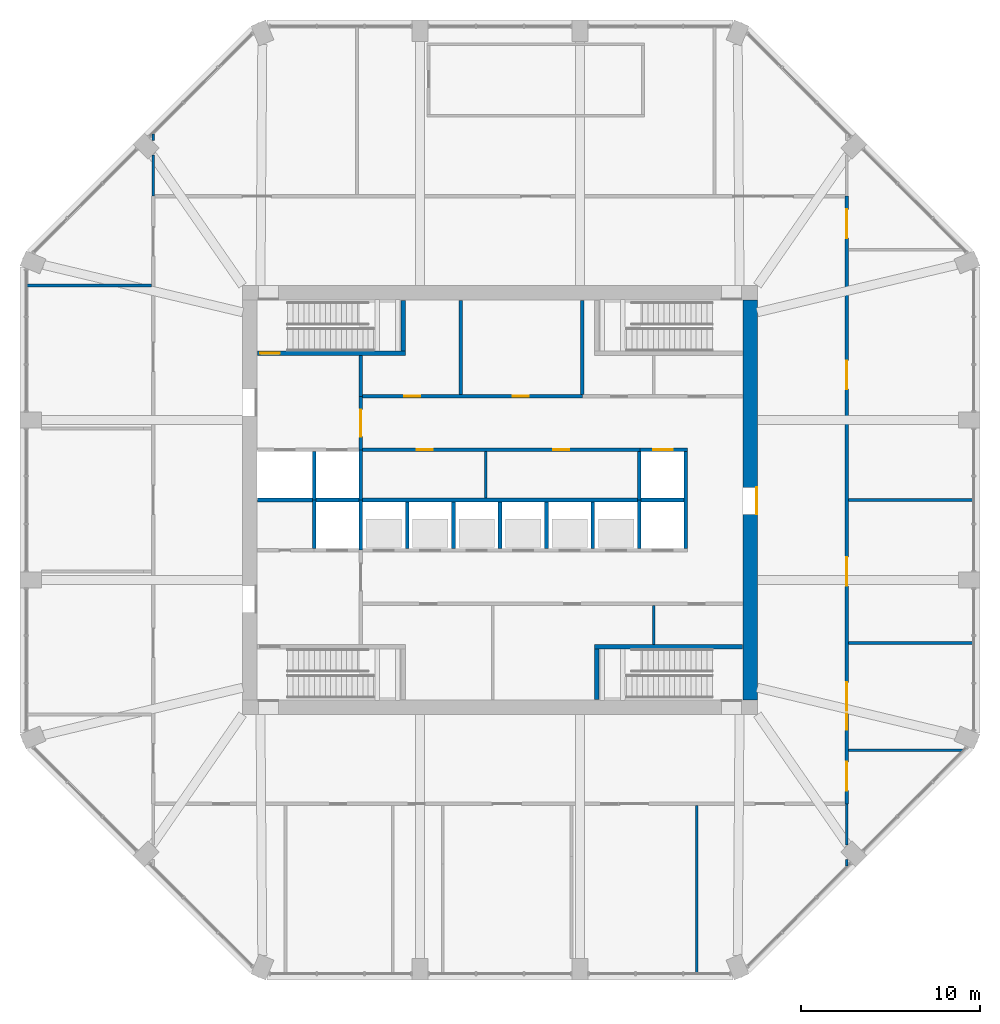
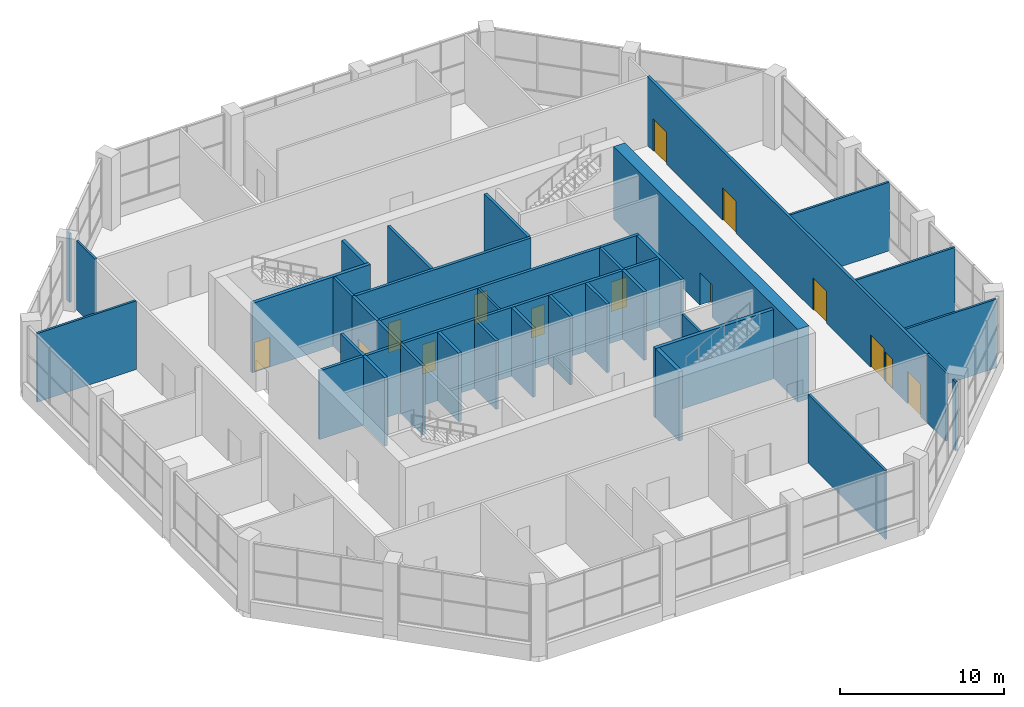
# One storey, part 13 of 16: 37 walls, 14 doors, 14 openings.
"""IFC4 building model written with IfcOpenShell, lengths in metres."""

from ifc_helpers import new_model, si_unit, direction, frame, frame_2d, origin, place, context, subcontext, project, spatial, rectangle, extrude, material, layer, layer_set, type_object, element, fill, save


model = new_model("IFC4")

# Units and contexts
model_context = context("Model", 3, precision=1e-05, world=origin(), true_north=direction((0.0, 1.0)))
body_context = subcontext(model_context, "Body", "Model", "MODEL_VIEW")
ifc_project = project(units=[si_unit("LENGTHUNIT", "METRE"), si_unit("AREAUNIT", "SQUARE_METRE"), si_unit("VOLUMEUNIT", "CUBIC_METRE"), si_unit("PLANEANGLEUNIT", "RADIAN"), si_unit("MASSUNIT", "GRAM", prefix="KILO")], contexts=[model_context])

# Site, building, storey
site_placement = place(None, origin())
site = spatial("IfcSite", under=ifc_project, at=site_placement, CompositionType="ELEMENT")
building_placement = place(site_placement, origin())
building = spatial("IfcBuilding", under=site, at=building_placement, Name="Msitu Wima Residences", CompositionType="ELEMENT")
storey_placement = place(building_placement, frame((0.0, 0.0, 156.89990234375)))
storey = spatial("IfcBuildingStorey", under=building, at=storey_placement, Name="L36", CompositionType="ELEMENT", Elevation=156.89990234375)

# Wall, opening, door
ifc_material_1 = material(Name="Concrete C70/85", Category="concrete")
ifc_layer_1 = layer(ifc_material_1, 0.800048828125)
ifc_layer_set_1 = layer_set([ifc_layer_1], Name="Concrete C70/85")
wall_type_1 = type_object("IfcWallType", Name="Core wall CW800 C70/85", PredefinedType="SHEAR", material=ifc_layer_set_1)
wall_1_placement = place(storey_placement, frame((14.0, -11.199951171875, 0.0), z_axis=(0.0, 0.0, 1.0), x_axis=(0.0, 1.0, 0.0)))
wall_1 = element("IfcWall", 1, at=wall_1_placement, inside=storey, type_object=wall_type_1, Name="Core wall", PredefinedType="SHEAR", context=body_context, shape_type="SweptSolid", body=[
    extrude(rectangle(XDim=22.39990234375, YDim=0.800048828125, at=frame_2d((11.199951171875, 0.0))), origin(), (0.0, 0.0, 1.0), 5.400146484375),
])
opening_1_placement = place(wall_1_placement, frame((10.39990234375, 0.0, 0.0)))
opening_1 = element("IfcOpeningElement", 2, at=opening_1_placement, cuts=wall_1, Name="Opening D36.037", PredefinedType="OPENING", context=body_context, shape_type="SweptSolid", body=[
    extrude(rectangle(XDim=1.5, YDim=2.39990234375, at=frame_2d((0.75, 1.199951171875))), frame((0.0, 0.409912109375, 0.0), z_axis=(0.0, -1.0, 0.0), x_axis=(1.0, 0.0, 0.0)), (0.0, 0.0, 1.0), 0.820068359375),
])
ifc_material_2 = material(Name="Steel framed glazed door, fire resisting", Category="steel")
door_type_1 = type_object("IfcDoorType", Name="Lobby door D07 1500x2400", OperationType="DOUBLE_DOOR_SINGLE_SWING", PredefinedType="DOOR", material=ifc_material_2)
door_1_placement = place(opening_1_placement, origin())
door_1 = element("IfcDoor", 3, at=door_1_placement, inside=storey, type_object=door_type_1, Name="Lobby door", OperationType="DOUBLE_DOOR_SINGLE_SWING", OverallHeight=2.39990234375, OverallWidth=1.5, PredefinedType="DOOR", context=body_context, shape_type="SweptSolid", body=[
    extrude(rectangle(XDim=1.5, YDim=2.39990234375, at=frame_2d((0.75, 1.199951171875))), frame((0.0, -0.34521484375, 0.0), z_axis=(0.0, -1.0, 0.0), x_axis=(1.0, 0.0, 0.0)), (0.0, 0.0, 1.0), 0.050048828125),
])
fill(opening_1, door_1)

# Wall, openings, doors
ifc_material_3 = material(Name="Plaster")
ifc_layer_2 = layer(ifc_material_3, 0.011962890625, Name="Plaster")
ifc_material_4 = material(Name="Concrete blockwork", Category="masonry")
ifc_layer_3 = layer(ifc_material_4, 0.176025390625, Name="Concrete blockwork")
ifc_layer_4 = layer(ifc_material_3, 0.011962890625, Name="Plaster")
ifc_layer_set_2 = layer_set([ifc_layer_2, ifc_layer_3, ifc_layer_4], Name="Concrete blockwork")
wall_type_2 = type_object("IfcWallType", Name="Corridor wall FW200", PredefinedType="PARTITIONING", material=ifc_layer_set_2)
wall_2_placement = place(storey_placement, frame((-7.820068359375, 2.800048828125, 0.0), z_axis=(0.0, 0.0, 1.0), x_axis=(1.0, 0.0, 0.0)))
wall_2 = element("IfcWall", 4, at=wall_2_placement, inside=storey, type_object=wall_type_2, Name="Corridor wall", PredefinedType="PARTITIONING", context=body_context, shape_type="SweptSolid", body=[
    extrude(rectangle(XDim=15.64013671875, YDim=0.199951171875, at=frame_2d((7.820068359375, 0.0))), origin(), (0.0, 0.0, 1.0), 5.10009765625),
])
opening_2_placement = place(wall_2_placement, frame((3.14990234375, 0.0, 0.0)))
opening_2 = element("IfcOpeningElement", 5, at=opening_2_placement, cuts=wall_2, Name="Opening D36.010", PredefinedType="OPENING", context=body_context, shape_type="SweptSolid", body=[
    extrude(rectangle(XDim=0.89990234375, YDim=2.199951171875, at=frame_2d((0.449951171875, 1.10009765625))), frame((0.0, 0.10986328125, 0.0), z_axis=(0.0, -1.0, 0.0), x_axis=(1.0, 0.0, 0.0)), (0.0, 0.0, 1.0), 0.219970703125),
])
opening_3_placement = place(wall_2_placement, frame((10.800048828125, 0.0, 0.0)))
opening_3 = element("IfcOpeningElement", 6, at=opening_3_placement, cuts=wall_2, Name="Opening D36.011", PredefinedType="OPENING", context=body_context, shape_type="SweptSolid", body=[
    extrude(rectangle(XDim=0.89990234375, YDim=2.199951171875, at=frame_2d((0.449951171875, 1.10009765625))), frame((0.0, 0.10986328125, 0.0), z_axis=(0.0, -1.0, 0.0), x_axis=(1.0, 0.0, 0.0)), (0.0, 0.0, 1.0), 0.219970703125),
])
ifc_material_5 = material(Name="Timber flush door", Category="wood")
door_type_2 = type_object("IfcDoorType", Name="Service door D05 900x2200", OperationType="SINGLE_SWING_LEFT", PredefinedType="DOOR", material=ifc_material_5)
door_2_placement = place(opening_2_placement, origin())
door_2 = element("IfcDoor", 7, at=door_2_placement, inside=storey, type_object=door_type_2, Name="Service door", OperationType="SINGLE_SWING_LEFT", OverallHeight=2.199951171875, OverallWidth=0.89990234375, PredefinedType="DOOR", context=body_context, shape_type="SweptSolid", body=[
    extrude(rectangle(XDim=0.89990234375, YDim=2.199951171875, at=frame_2d((0.449951171875, 1.10009765625))), frame((0.0, 0.02490234375, 0.0), z_axis=(0.0, -1.0, 0.0), x_axis=(1.0, 0.0, 0.0)), (0.0, 0.0, 1.0), 0.050048828125),
])
fill(opening_2, door_2)
door_3_placement = place(opening_3_placement, origin())
door_3 = element("IfcDoor", 8, at=door_3_placement, inside=storey, type_object=door_type_2, Name="Service door", OperationType="SINGLE_SWING_LEFT", OverallHeight=2.199951171875, OverallWidth=0.89990234375, PredefinedType="DOOR", context=body_context, shape_type="SweptSolid", body=[
    extrude(rectangle(XDim=0.89990234375, YDim=2.199951171875, at=frame_2d((0.449951171875, 1.10009765625))), frame((0.0, 0.02490234375, 0.0), z_axis=(0.0, -1.0, 0.0), x_axis=(1.0, 0.0, 0.0)), (0.0, 0.0, 1.0), 0.050048828125),
])
fill(opening_3, door_3)

# Wall, opening, door
wall_3_placement = place(storey_placement, frame((-7.800048828125, 2.800048828125, 0.0), z_axis=(0.0, 0.0, 1.0), x_axis=(0.0, 1.0, 0.0)))
wall_3 = element("IfcWall", 9, at=wall_3_placement, inside=storey, type_object=wall_type_2, Name="Corridor wall", PredefinedType="PARTITIONING", context=body_context, shape_type="SweptSolid", body=[
    extrude(rectangle(XDim=3.0, YDim=0.199951171875, at=frame_2d((1.5, 0.0))), origin(), (0.0, 0.0, 1.0), 5.10009765625),
])
opening_4_placement = place(wall_3_placement, frame((0.75, 0.0, 0.0)))
opening_4 = element("IfcOpeningElement", 10, at=opening_4_placement, cuts=wall_3, Name="Opening D36.001", PredefinedType="OPENING", context=body_context, shape_type="SweptSolid", body=[
    extrude(rectangle(XDim=1.5, YDim=2.39990234375, at=frame_2d((0.75, 1.199951171875))), frame((0.0, 0.10986328125, 0.0), z_axis=(0.0, -1.0, 0.0), x_axis=(1.0, 0.0, 0.0)), (0.0, 0.0, 1.0), 0.219970703125),
])
door_4_placement = place(opening_4_placement, origin())
door_4 = element("IfcDoor", 11, at=door_4_placement, inside=storey, type_object=door_type_1, Name="Lobby door", OperationType="DOUBLE_DOOR_SINGLE_SWING", OverallHeight=2.39990234375, OverallWidth=1.5, PredefinedType="DOOR", context=body_context, shape_type="SweptSolid", body=[
    extrude(rectangle(XDim=1.5, YDim=2.39990234375, at=frame_2d((0.75, 1.199951171875))), frame((0.0, 0.02490234375, 0.0), z_axis=(0.0, -1.0, 0.0), x_axis=(1.0, 0.0, 0.0)), (0.0, 0.0, 1.0), 0.050048828125),
])
fill(opening_4, door_4)

# Wall, openings, doors
wall_4_placement = place(storey_placement, frame((19.39990234375, -17.0, 0.0), z_axis=(0.0, 0.0, 1.0), x_axis=(0.0, 1.0, 0.0)))
wall_4 = element("IfcWall", 12, at=wall_4_placement, inside=storey, type_object=wall_type_2, Name="Corridor wall", PredefinedType="PARTITIONING", context=body_context, shape_type="SweptSolid", body=[
    extrude(rectangle(XDim=34.0, YDim=0.199951171875, at=frame_2d((17.0, 0.0))), origin(), (0.0, 0.0, 1.0), 5.10009765625),
])
opening_5_placement = place(wall_4_placement, frame((0.75, 0.0, 0.0)))
opening_5 = element("IfcOpeningElement", 13, at=opening_5_placement, cuts=wall_4, Name="Opening D36.015", PredefinedType="OPENING", context=body_context, shape_type="SweptSolid", body=[
    extrude(rectangle(XDim=1.60009765625, YDim=2.39990234375, at=frame_2d((0.800048828125, 1.199951171875))), frame((0.0, 0.10986328125, 0.0), z_axis=(0.0, -1.0, 0.0), x_axis=(1.0, 0.0, 0.0)), (0.0, 0.0, 1.0), 0.219970703125),
])
opening_6_placement = place(wall_4_placement, frame((5.199951171875, 0.0, 0.0)))
opening_6 = element("IfcOpeningElement", 14, at=opening_6_placement, cuts=wall_4, Name="Opening D36.016", PredefinedType="OPENING", context=body_context, shape_type="SweptSolid", body=[
    extrude(rectangle(XDim=1.60009765625, YDim=2.39990234375, at=frame_2d((0.800048828125, 1.199951171875))), frame((0.0, 0.10986328125, 0.0), z_axis=(0.0, -1.0, 0.0), x_axis=(1.0, 0.0, 0.0)), (0.0, 0.0, 1.0), 0.219970703125),
])
opening_7_placement = place(wall_4_placement, frame((12.199951171875, 0.0, 0.0)))
opening_7 = element("IfcOpeningElement", 15, at=opening_7_placement, cuts=wall_4, Name="Opening D36.017", PredefinedType="OPENING", context=body_context, shape_type="SweptSolid", body=[
    extrude(rectangle(XDim=1.60009765625, YDim=2.39990234375, at=frame_2d((0.800048828125, 1.199951171875))), frame((0.0, 0.10986328125, 0.0), z_axis=(0.0, -1.0, 0.0), x_axis=(1.0, 0.0, 0.0)), (0.0, 0.0, 1.0), 0.219970703125),
])
opening_8_placement = place(wall_4_placement, frame((23.199951171875, 0.0, 0.0)))
opening_8 = element("IfcOpeningElement", 16, at=opening_8_placement, cuts=wall_4, Name="Opening D36.018", PredefinedType="OPENING", context=body_context, shape_type="SweptSolid", body=[
    extrude(rectangle(XDim=1.60009765625, YDim=2.39990234375, at=frame_2d((0.800048828125, 1.199951171875))), frame((0.0, 0.10986328125, 0.0), z_axis=(0.0, -1.0, 0.0), x_axis=(1.0, 0.0, 0.0)), (0.0, 0.0, 1.0), 0.219970703125),
])
opening_9_placement = place(wall_4_placement, frame((31.64990234375, 0.0, 0.0)))
opening_9 = element("IfcOpeningElement", 17, at=opening_9_placement, cuts=wall_4, Name="Opening D36.019", PredefinedType="OPENING", context=body_context, shape_type="SweptSolid", body=[
    extrude(rectangle(XDim=1.60009765625, YDim=2.39990234375, at=frame_2d((0.800048828125, 1.199951171875))), frame((0.0, 0.10986328125, 0.0), z_axis=(0.0, -1.0, 0.0), x_axis=(1.0, 0.0, 0.0)), (0.0, 0.0, 1.0), 0.219970703125),
])
opening_10_placement = place(wall_4_placement, frame((4.14990234375, 0.0, 0.0)))
opening_10 = element("IfcOpeningElement", 18, at=opening_10_placement, cuts=wall_4, Name="Opening D36.035", PredefinedType="OPENING", context=body_context, shape_type="SweptSolid", body=[
    extrude(rectangle(XDim=0.89990234375, YDim=2.199951171875, at=frame_2d((0.449951171875, 1.10009765625))), frame((0.0, 0.10986328125, 0.0), z_axis=(0.0, -1.0, 0.0), x_axis=(1.0, 0.0, 0.0)), (0.0, 0.0, 1.0), 0.219970703125),
])
ifc_material_6 = material(Name="Black aluminium glazed door", Category="aluminium")
door_type_3 = type_object("IfcDoorType", Name="Amenity door D10 1600x2400", OperationType="DOUBLE_DOOR_SINGLE_SWING", PredefinedType="DOOR", material=ifc_material_6)
door_5_placement = place(opening_5_placement, origin())
door_5 = element("IfcDoor", 19, at=door_5_placement, inside=storey, type_object=door_type_3, Name="Amenity door", OperationType="DOUBLE_DOOR_SINGLE_SWING", OverallHeight=2.39990234375, OverallWidth=1.60009765625, PredefinedType="DOOR", context=body_context, shape_type="SweptSolid", body=[
    extrude(rectangle(XDim=1.60009765625, YDim=2.39990234375, at=frame_2d((0.800048828125, 1.199951171875))), frame((0.0, 0.02490234375, 0.0), z_axis=(0.0, -1.0, 0.0), x_axis=(1.0, 0.0, 0.0)), (0.0, 0.0, 1.0), 0.050048828125),
])
fill(opening_5, door_5)
door_6_placement = place(opening_6_placement, origin())
door_6 = element("IfcDoor", 20, at=door_6_placement, inside=storey, type_object=door_type_3, Name="Amenity door", OperationType="DOUBLE_DOOR_SINGLE_SWING", OverallHeight=2.39990234375, OverallWidth=1.60009765625, PredefinedType="DOOR", context=body_context, shape_type="SweptSolid", body=[
    extrude(rectangle(XDim=1.60009765625, YDim=2.39990234375, at=frame_2d((0.800048828125, 1.199951171875))), frame((0.0, 0.02490234375, 0.0), z_axis=(0.0, -1.0, 0.0), x_axis=(1.0, 0.0, 0.0)), (0.0, 0.0, 1.0), 0.050048828125),
])
fill(opening_6, door_6)
door_7_placement = place(opening_7_placement, origin())
door_7 = element("IfcDoor", 21, at=door_7_placement, inside=storey, type_object=door_type_3, Name="Amenity door", OperationType="DOUBLE_DOOR_SINGLE_SWING", OverallHeight=2.39990234375, OverallWidth=1.60009765625, PredefinedType="DOOR", context=body_context, shape_type="SweptSolid", body=[
    extrude(rectangle(XDim=1.60009765625, YDim=2.39990234375, at=frame_2d((0.800048828125, 1.199951171875))), frame((0.0, 0.02490234375, 0.0), z_axis=(0.0, -1.0, 0.0), x_axis=(1.0, 0.0, 0.0)), (0.0, 0.0, 1.0), 0.050048828125),
])
fill(opening_7, door_7)
door_8_placement = place(opening_8_placement, origin())
door_8 = element("IfcDoor", 22, at=door_8_placement, inside=storey, type_object=door_type_3, Name="Amenity door", OperationType="DOUBLE_DOOR_SINGLE_SWING", OverallHeight=2.39990234375, OverallWidth=1.60009765625, PredefinedType="DOOR", context=body_context, shape_type="SweptSolid", body=[
    extrude(rectangle(XDim=1.60009765625, YDim=2.39990234375, at=frame_2d((0.800048828125, 1.199951171875))), frame((0.0, 0.02490234375, 0.0), z_axis=(0.0, -1.0, 0.0), x_axis=(1.0, 0.0, 0.0)), (0.0, 0.0, 1.0), 0.050048828125),
])
fill(opening_8, door_8)
door_9_placement = place(opening_9_placement, origin())
door_9 = element("IfcDoor", 23, at=door_9_placement, inside=storey, type_object=door_type_3, Name="Amenity door", OperationType="DOUBLE_DOOR_SINGLE_SWING", OverallHeight=2.39990234375, OverallWidth=1.60009765625, PredefinedType="DOOR", context=body_context, shape_type="SweptSolid", body=[
    extrude(rectangle(XDim=1.60009765625, YDim=2.39990234375, at=frame_2d((0.800048828125, 1.199951171875))), frame((0.0, 0.02490234375, 0.0), z_axis=(0.0, -1.0, 0.0), x_axis=(1.0, 0.0, 0.0)), (0.0, 0.0, 1.0), 0.050048828125),
])
fill(opening_9, door_9)
door_10_placement = place(opening_10_placement, origin())
door_10 = element("IfcDoor", 24, at=door_10_placement, inside=storey, type_object=door_type_2, Name="Service door", OperationType="SINGLE_SWING_RIGHT", OverallHeight=2.199951171875, OverallWidth=0.89990234375, PredefinedType="DOOR", context=body_context, shape_type="SweptSolid", body=[
    extrude(rectangle(XDim=0.89990234375, YDim=2.199951171875, at=frame_2d((0.449951171875, 1.10009765625))), frame((0.0, 0.02490234375, 0.0), z_axis=(0.0, -1.0, 0.0), x_axis=(1.0, 0.0, 0.0)), (0.0, 0.0, 1.0), 0.050048828125),
])
fill(opening_10, door_10)

# Walls
ifc_layer_5 = layer(ifc_material_3, 0.011962890625, Name="Plaster")
ifc_layer_6 = layer(ifc_material_4, 0.1259765625, Name="Concrete blockwork")
ifc_layer_7 = layer(ifc_material_3, 0.011962890625, Name="Plaster")
ifc_layer_set_3 = layer_set([ifc_layer_5, ifc_layer_6, ifc_layer_7], Name="Concrete blockwork")
wall_type_3 = type_object("IfcWallType", Name="Partition PW150", PredefinedType="PARTITIONING", material=ifc_layer_set_3)
wall_5_placement = place(storey_placement, frame((-26.455078125, 12.0, 0.0), z_axis=(0.0, 0.0, 1.0), x_axis=(1.0, 0.0, 0.0)))
element("IfcWall", 25, at=wall_5_placement, inside=storey, type_object=wall_type_3, Name="Partition", PredefinedType="PARTITIONING", context=body_context, shape_type="SweptSolid", body=[
    extrude(rectangle(XDim=6.955078125, YDim=0.14990234375, at=frame_2d((3.4775390625, 0.0))), origin(), (0.0, 0.0, 1.0), 5.10009765625),
])
wall_6_placement = place(storey_placement, frame((-19.39990234375, 17.0, 0.0), z_axis=(0.0, 0.0, 1.0), x_axis=(0.0, 1.0, 0.0)))
element("IfcWall", 26, at=wall_6_placement, inside=storey, type_object=wall_type_3, Name="Partition", PredefinedType="PARTITIONING", context=body_context, shape_type="SweptSolid", body=[
    extrude(rectangle(XDim=2.28515625, YDim=0.14990234375, at=frame_2d((1.142578125, 0.0))), origin(), (0.0, 0.0, 1.0), 5.10009765625),
])
wall_7_placement = place(storey_placement, frame((-19.39990234375, 20.096435546875, 0.0), z_axis=(0.0, 0.0, 1.0), x_axis=(0.0, 1.0, 0.0)))
element("IfcWall", 27, at=wall_7_placement, inside=storey, type_object=wall_type_3, Name="Partition", PredefinedType="PARTITIONING", context=body_context, shape_type="SweptSolid", body=[
    extrude(rectangle(XDim=0.38720703125, YDim=0.14990234375, at=frame_2d((0.193603515625, 0.0))), origin(), (0.0, 0.0, 1.0), 5.10009765625),
])
wall_8_placement = place(storey_placement, frame((-0.800048828125, 0.10009765625, 0.0), z_axis=(0.0, 0.0, 1.0), x_axis=(0.0, 1.0, 0.0)))
element("IfcWall", 28, at=wall_8_placement, inside=storey, type_object=wall_type_3, Name="Partition", PredefinedType="PARTITIONING", context=body_context, shape_type="SweptSolid", body=[
    extrude(rectangle(XDim=2.599853515625, YDim=0.14990234375, at=frame_2d((1.2998046875, 0.0))), origin(), (0.0, 0.0, 1.0), 5.10009765625),
])
wall_9_placement = place(storey_placement, frame((8.60009765625, -8.074951171875, 0.0), z_axis=(0.0, 0.0, 1.0), x_axis=(0.0, 1.0, 0.0)))
element("IfcWall", 29, at=wall_9_placement, inside=storey, type_object=wall_type_3, Name="Partition", PredefinedType="PARTITIONING", context=body_context, shape_type="SweptSolid", body=[
    extrude(rectangle(XDim=2.175048828125, YDim=0.14990234375, at=frame_2d((1.08740234375, 0.0))), origin(), (0.0, 0.0, 1.0), 5.10009765625),
])
wall_10_placement = place(storey_placement, frame((11.0, -26.455078125, 0.0), z_axis=(0.0, 0.0, 1.0), x_axis=(0.0, 1.0, 0.0)))
element("IfcWall", 30, at=wall_10_placement, inside=storey, type_object=wall_type_3, Name="Partition", PredefinedType="PARTITIONING", context=body_context, shape_type="SweptSolid", body=[
    extrude(rectangle(XDim=9.35498046875, YDim=0.14990234375, at=frame_2d((4.677490234375, 0.0))), origin(), (0.0, 0.0, 1.0), 5.10009765625),
])
wall_11_placement = place(storey_placement, frame((19.39990234375, -20.483642578125, 0.0), z_axis=(0.0, 0.0, 1.0), x_axis=(0.0, 1.0, 0.0)))
element("IfcWall", 31, at=wall_11_placement, inside=storey, type_object=wall_type_3, Name="Partition", PredefinedType="PARTITIONING", context=body_context, shape_type="SweptSolid", body=[
    extrude(rectangle(XDim=0.38720703125, YDim=0.14990234375, at=frame_2d((0.193603515625, 0.0))), origin(), (0.0, 0.0, 1.0), 5.10009765625),
])
wall_12_placement = place(storey_placement, frame((19.39990234375, -19.28515625, 0.0), z_axis=(0.0, 0.0, 1.0), x_axis=(0.0, 1.0, 0.0)))
element("IfcWall", 32, at=wall_12_placement, inside=storey, type_object=wall_type_3, Name="Partition", PredefinedType="PARTITIONING", context=body_context, shape_type="SweptSolid", body=[
    extrude(rectangle(XDim=2.28515625, YDim=0.14990234375, at=frame_2d((1.142578125, 0.0))), origin(), (0.0, 0.0, 1.0), 5.10009765625),
])
wall_13_placement = place(storey_placement, frame((19.5, -14.0, 0.0), z_axis=(0.0, 0.0, 1.0), x_axis=(1.0, 0.0, 0.0)))
element("IfcWall", 33, at=wall_13_placement, inside=storey, type_object=wall_type_3, Name="Partition", PredefinedType="PARTITIONING", context=body_context, shape_type="SweptSolid", body=[
    extrude(rectangle(XDim=6.3837890625, YDim=0.14990234375, at=frame_2d((3.19189453125, 0.0))), origin(), (0.0, 0.0, 1.0), 5.10009765625),
])
for number, where, z_axis, x_axis, name in (
    (34, (19.5, -8.0, 0.0), (0.0, 0.0, 1.0), (1.0, 0.0, 0.0), "Partition"),
    (35, (19.5, 0.0, 0.0), (0.0, 0.0, 1.0), (1.0, 0.0, 0.0), "Partition"),
):
    element("IfcWall", number, at=place(storey_placement, frame(where, z_axis=z_axis, x_axis=x_axis)), inside=storey, type_object=wall_type_3, Name=name, PredefinedType="PARTITIONING", context=body_context, shape_type="SweptSolid", body=[
        extrude(rectangle(XDim=6.955078125, YDim=0.14990234375, at=frame_2d((3.4775390625, 0.0))), origin(), (0.0, 0.0, 1.0), 5.10009765625),
    ])
ifc_layer_8 = layer(ifc_material_3, 0.011962890625, Name="Plaster")
ifc_material_7 = material(Name="Reinforced concrete blockwork", Category="masonry")
ifc_layer_9 = layer(ifc_material_7, 0.176025390625, Name="Reinforced concrete blockwork")
ifc_layer_10 = layer(ifc_material_3, 0.011962890625, Name="Plaster")
ifc_layer_set_4 = layer_set([ifc_layer_8, ifc_layer_9, ifc_layer_10], Name="Reinforced concrete blockwork")
wall_type_4 = type_object("IfcWallType", Name="Plant and riser wall PL200", PredefinedType="PARTITIONING", material=ifc_layer_set_4)
wall_14_placement = place(storey_placement, frame((-7.800048828125, 5.800048828125, 0.0), z_axis=(0.0, 0.0, 1.0), x_axis=(0.0, 1.0, 0.0)))
element("IfcWall", 36, at=wall_14_placement, inside=storey, type_object=wall_type_4, Name="Plant and riser wall", PredefinedType="PARTITIONING", context=body_context, shape_type="SweptSolid", body=[
    extrude(rectangle(XDim=2.27490234375, YDim=0.199951171875, at=frame_2d((1.137451171875, 0.0))), origin(), (0.0, 0.0, 1.0), 5.10009765625),
])

# Wall, openings, doors
wall_15_placement = place(storey_placement, frame((-7.699951171875, 5.800048828125, 0.0), z_axis=(0.0, 0.0, 1.0), x_axis=(1.0, 0.0, 0.0)))
wall_15 = element("IfcWall", 37, at=wall_15_placement, inside=storey, type_object=wall_type_4, Name="Plant and riser wall", PredefinedType="PARTITIONING", context=body_context, shape_type="SweptSolid", body=[
    extrude(rectangle(XDim=12.320068359375, YDim=0.199951171875, at=frame_2d((6.16015625, 0.0))), origin(), (0.0, 0.0, 1.0), 5.10009765625),
])
opening_11_placement = place(wall_15_placement, frame((2.35009765625, 0.0, 0.0)))
opening_11 = element("IfcOpeningElement", 38, at=opening_11_placement, cuts=wall_15, Name="Opening D36.003", PredefinedType="OPENING", context=body_context, shape_type="SweptSolid", body=[
    extrude(rectangle(XDim=0.89990234375, YDim=2.199951171875, at=frame_2d((0.449951171875, 1.10009765625))), frame((0.0, 0.10986328125, 0.0), z_axis=(0.0, -1.0, 0.0), x_axis=(1.0, 0.0, 0.0)), (0.0, 0.0, 1.0), 0.219970703125),
])
opening_12_placement = place(wall_15_placement, frame((8.39990234375, 0.0, 0.0)))
opening_12 = element("IfcOpeningElement", 39, at=opening_12_placement, cuts=wall_15, Name="Opening D36.004", PredefinedType="OPENING", context=body_context, shape_type="SweptSolid", body=[
    extrude(rectangle(XDim=0.89990234375, YDim=2.199951171875, at=frame_2d((0.449951171875, 1.10009765625))), frame((0.0, 0.10986328125, 0.0), z_axis=(0.0, -1.0, 0.0), x_axis=(1.0, 0.0, 0.0)), (0.0, 0.0, 1.0), 0.219970703125),
])
door_11_placement = place(opening_11_placement, origin())
door_11 = element("IfcDoor", 40, at=door_11_placement, inside=storey, type_object=door_type_2, Name="Service door", OperationType="SINGLE_SWING_RIGHT", OverallHeight=2.199951171875, OverallWidth=0.89990234375, PredefinedType="DOOR", context=body_context, shape_type="SweptSolid", body=[
    extrude(rectangle(XDim=0.89990234375, YDim=2.199951171875, at=frame_2d((0.449951171875, 1.10009765625))), frame((0.0, 0.02490234375, 0.0), z_axis=(0.0, -1.0, 0.0), x_axis=(1.0, 0.0, 0.0)), (0.0, 0.0, 1.0), 0.050048828125),
])
fill(opening_11, door_11)
door_12_placement = place(opening_12_placement, origin())
door_12 = element("IfcDoor", 41, at=door_12_placement, inside=storey, type_object=door_type_2, Name="Service door", OperationType="SINGLE_SWING_LEFT", OverallHeight=2.199951171875, OverallWidth=0.89990234375, PredefinedType="DOOR", context=body_context, shape_type="SweptSolid", body=[
    extrude(rectangle(XDim=0.89990234375, YDim=2.199951171875, at=frame_2d((0.449951171875, 1.10009765625))), frame((0.0, 0.02490234375, 0.0), z_axis=(0.0, -1.0, 0.0), x_axis=(1.0, 0.0, 0.0)), (0.0, 0.0, 1.0), 0.050048828125),
])
fill(opening_12, door_12)

# Walls
for number, where, z_axis, x_axis, name in (
    (42, (-2.199951171875, 5.89990234375, 0.0), (0.0, 0.0, 1.0), (0.0, 1.0, 0.0), "Plant and riser wall"),
    (43, (4.60009765625, 5.89990234375, 0.0), (0.0, 0.0, 1.0), (0.0, 1.0, 0.0), "Plant and riser wall"),
):
    element("IfcWall", number, at=place(storey_placement, frame(where, z_axis=z_axis, x_axis=x_axis)), inside=storey, type_object=wall_type_4, Name=name, PredefinedType="PARTITIONING", context=body_context, shape_type="SweptSolid", body=[
        extrude(rectangle(XDim=5.27001953125, YDim=0.199951171875, at=frame_2d((2.635009765625, 0.0))), origin(), (0.0, 0.0, 1.0), 5.10009765625),
    ])
ifc_material_8 = material(Name="Fire-rated board")
ifc_layer_11 = layer(ifc_material_8, 0.02490234375, Name="Fire-rated board")
ifc_material_9 = material(Name="Light-gauge stud framing with mineral wool")
ifc_layer_12 = layer(ifc_material_9, 0.14990234375, Name="Light-gauge stud framing with mineral wool")
ifc_layer_13 = layer(ifc_material_8, 0.02490234375, Name="Fire-rated board")
ifc_layer_set_5 = layer_set([ifc_layer_11, ifc_layer_12, ifc_layer_13], Name="Light-gauge stud framing with mineral wool")
wall_type_5 = type_object("IfcWallType", Name="Shaft wall SH200", PredefinedType="PARTITIONING", material=ifc_layer_set_5)
wall_16_placement = place(storey_placement, frame((-13.570068359375, 0.0, 0.0), z_axis=(0.0, 0.0, 1.0), x_axis=(1.0, 0.0, 0.0)))
element("IfcWall", 44, at=wall_16_placement, inside=storey, type_object=wall_type_5, Name="Shaft wall", PredefinedType="PARTITIONING", context=body_context, shape_type="SweptSolid", body=[
    extrude(rectangle(XDim=23.8701171875, YDim=0.199951171875, at=frame_2d((11.93505859375, 0.0))), origin(), (0.0, 0.0, 1.0), 5.10009765625),
])
for number, where, z_axis, x_axis, name in (
    (45, (-10.39990234375, -2.699951171875, 0.0), (0.0, 0.0, 1.0), (0.0, 1.0, 0.0), "Shaft wall"),
    (46, (-10.39990234375, 0.0, 0.0), (0.0, 0.0, 1.0), (0.0, 1.0, 0.0), "Shaft wall"),
):
    element("IfcWall", number, at=place(storey_placement, frame(where, z_axis=z_axis, x_axis=x_axis)), inside=storey, type_object=wall_type_5, Name=name, PredefinedType="PARTITIONING", context=body_context, shape_type="SweptSolid", body=[
        extrude(rectangle(XDim=2.699951171875, YDim=0.199951171875, at=frame_2d((1.35009765625, 0.0))), origin(), (0.0, 0.0, 1.0), 5.10009765625),
    ])
for number, where, z_axis, x_axis, name in (
    (47, (-7.800048828125, -2.800048828125, 0.0), (0.0, 0.0, 1.0), (0.0, 1.0, 0.0), "Shaft wall"),
    (48, (-7.800048828125, 0.0, 0.0), (0.0, 0.0, 1.0), (0.0, 1.0, 0.0), "Shaft wall"),
):
    element("IfcWall", number, at=place(storey_placement, frame(where, z_axis=z_axis, x_axis=x_axis)), inside=storey, type_object=wall_type_5, Name=name, PredefinedType="PARTITIONING", context=body_context, shape_type="SweptSolid", body=[
        extrude(rectangle(XDim=2.800048828125, YDim=0.199951171875, at=frame_2d((1.39990234375, 0.0))), origin(), (0.0, 0.0, 1.0), 5.10009765625),
    ])
for number, where, z_axis, x_axis, name in (
    (49, (-5.199951171875, -2.699951171875, 0.0), (0.0, 0.0, 1.0), (0.0, 1.0, 0.0), "Shaft wall"),
    (50, (-2.60009765625, -2.699951171875, 0.0), (0.0, 0.0, 1.0), (0.0, 1.0, 0.0), "Shaft wall"),
    (51, (0.0, -2.699951171875, 0.0), (0.0, 0.0, 1.0), (0.0, 1.0, 0.0), "Shaft wall"),
    (52, (2.60009765625, -2.699951171875, 0.0), (0.0, 0.0, 1.0), (0.0, 1.0, 0.0), "Shaft wall"),
    (53, (5.199951171875, -2.699951171875, 0.0), (0.0, 0.0, 1.0), (0.0, 1.0, 0.0), "Shaft wall"),
):
    element("IfcWall", number, at=place(storey_placement, frame(where, z_axis=z_axis, x_axis=x_axis)), inside=storey, type_object=wall_type_5, Name=name, PredefinedType="PARTITIONING", context=body_context, shape_type="SweptSolid", body=[
        extrude(rectangle(XDim=2.599853515625, YDim=0.199951171875, at=frame_2d((1.2998046875, 0.0))), origin(), (0.0, 0.0, 1.0), 5.10009765625),
    ])
for number, where, z_axis, x_axis, name in (
    (54, (7.800048828125, -2.699951171875, 0.0), (0.0, 0.0, 1.0), (0.0, 1.0, 0.0), "Shaft wall"),
    (55, (7.800048828125, 0.0, 0.0), (0.0, 0.0, 1.0), (0.0, 1.0, 0.0), "Shaft wall"),
):
    element("IfcWall", number, at=place(storey_placement, frame(where, z_axis=z_axis, x_axis=x_axis)), inside=storey, type_object=wall_type_5, Name=name, PredefinedType="PARTITIONING", context=body_context, shape_type="SweptSolid", body=[
        extrude(rectangle(XDim=2.699951171875, YDim=0.199951171875, at=frame_2d((1.35009765625, 0.0))), origin(), (0.0, 0.0, 1.0), 5.10009765625),
    ])

# Wall, opening, door
wall_17_placement = place(storey_placement, frame((7.820068359375, 2.800048828125, 0.0), z_axis=(0.0, 0.0, 1.0), x_axis=(1.0, 0.0, 0.0)))
wall_17 = element("IfcWall", 56, at=wall_17_placement, inside=storey, type_object=wall_type_5, Name="Shaft wall", PredefinedType="PARTITIONING", context=body_context, shape_type="SweptSolid", body=[
    extrude(rectangle(XDim=2.679931640625, YDim=0.199951171875, at=frame_2d((1.33984375, 0.0))), origin(), (0.0, 0.0, 1.0), 5.10009765625),
])
opening_13_placement = place(wall_17_placement, frame((0.75, 0.0, 0.0)))
opening_13 = element("IfcOpeningElement", 57, at=opening_13_placement, cuts=wall_17, Name="Opening LD", PredefinedType="OPENING", context=body_context, shape_type="SweptSolid", body=[
    extrude(rectangle(XDim=1.10009765625, YDim=2.199951171875, at=frame_2d((0.550048828125, 1.10009765625))), frame((0.0, 0.10986328125, 0.0), z_axis=(0.0, -1.0, 0.0), x_axis=(1.0, 0.0, 0.0)), (0.0, 0.0, 1.0), 0.219970703125),
])
ifc_material_10 = material(Name="Stainless steel centre-opening landing door, rated", Category="steel")
door_type_4 = type_object("IfcDoorType", Name="Lift landing door LD 1100x2200", OperationType="DOUBLE_DOOR_SLIDING", PredefinedType="DOOR", material=ifc_material_10)
door_13_placement = place(opening_13_placement, origin())
door_13 = element("IfcDoor", 58, at=door_13_placement, inside=storey, type_object=door_type_4, Name="Lift landing door LD16", OperationType="DOUBLE_DOOR_SLIDING", OverallHeight=2.199951171875, OverallWidth=1.10009765625, PredefinedType="DOOR", context=body_context, shape_type="SweptSolid", body=[
    extrude(rectangle(XDim=1.10009765625, YDim=2.199951171875, at=frame_2d((0.550048828125, 1.10009765625))), frame((0.0, 0.02490234375, 0.0), z_axis=(0.0, -1.0, 0.0), x_axis=(1.0, 0.0, 0.0)), (0.0, 0.0, 1.0), 0.050048828125),
])
fill(opening_13, door_13)

# Wall
wall_18_placement = place(storey_placement, frame((10.39990234375, -2.699951171875, 0.0), z_axis=(0.0, 0.0, 1.0), x_axis=(0.0, 1.0, 0.0)))
element("IfcWall", 59, at=wall_18_placement, inside=storey, type_object=wall_type_5, Name="Shaft wall", PredefinedType="PARTITIONING", context=body_context, shape_type="SweptSolid", body=[
    extrude(rectangle(XDim=5.39990234375, YDim=0.199951171875, at=frame_2d((2.699951171875, 0.0))), origin(), (0.0, 0.0, 1.0), 5.10009765625),
])

# Wall, opening, door
ifc_material_11 = material(Name="Concrete C50/60", Category="concrete")
ifc_layer_14 = layer(ifc_material_11, 0.25)
ifc_layer_set_6 = layer_set([ifc_layer_14], Name="Concrete C50/60")
wall_type_6 = type_object("IfcWallType", Name="Stair enclosure wall SW250", PredefinedType="SHEAR", material=ifc_layer_set_6)
wall_19_placement = place(storey_placement, frame((-13.570068359375, 8.199951171875, 0.0), z_axis=(0.0, 0.0, 1.0), x_axis=(1.0, 0.0, 0.0)))
wall_19 = element("IfcWall", 60, at=wall_19_placement, inside=storey, type_object=wall_type_6, Name="Stair enclosure wall", PredefinedType="SHEAR", context=body_context, shape_type="SweptSolid", body=[
    extrude(rectangle(XDim=8.295166015625, YDim=0.25, at=frame_2d((4.1474609375, 0.0))), origin(), (0.0, 0.0, 1.0), 5.150146484375),
])
opening_14_placement = place(wall_19_placement, frame((0.14990234375, 0.0, 0.0)))
opening_14 = element("IfcOpeningElement", 61, at=opening_14_placement, cuts=wall_19, Name="Opening D36.013", PredefinedType="OPENING", context=body_context, shape_type="SweptSolid", body=[
    extrude(rectangle(XDim=1.10009765625, YDim=2.199951171875, at=frame_2d((0.550048828125, 1.10009765625))), frame((0.0, 0.135009765625, 0.0), z_axis=(0.0, -1.0, 0.0), x_axis=(1.0, 0.0, 0.0)), (0.0, 0.0, 1.0), 0.27001953125),
])
ifc_material_12 = material(Name="Steel door, fire resisting, panic bar", Category="steel")
door_type_5 = type_object("IfcDoorType", Name="Stair door D06 1100x2200", OperationType="SINGLE_SWING_LEFT", PredefinedType="DOOR", material=ifc_material_12)
door_14_placement = place(opening_14_placement, origin())
door_14 = element("IfcDoor", 62, at=door_14_placement, inside=storey, type_object=door_type_5, Name="Stair door", OperationType="SINGLE_SWING_LEFT", OverallHeight=2.199951171875, OverallWidth=1.10009765625, PredefinedType="DOOR", context=body_context, shape_type="SweptSolid", body=[
    extrude(rectangle(XDim=1.10009765625, YDim=2.199951171875, at=frame_2d((0.550048828125, 1.10009765625))), frame((0.0, 0.02490234375, 0.0), z_axis=(0.0, -1.0, 0.0), x_axis=(1.0, 0.0, 0.0)), (0.0, 0.0, 1.0), 0.050048828125),
])
fill(opening_14, door_14)

# Walls
for number, where, z_axis, x_axis, name in (
    (63, (-5.39990234375, 8.324951171875, 0.0), (0.0, 0.0, 1.0), (0.0, 1.0, 0.0), "Stair enclosure wall"),
    (64, (5.39990234375, -11.169921875, 0.0), (0.0, 0.0, 1.0), (0.0, 1.0, 0.0), "Stair enclosure wall"),
):
    element("IfcWall", number, at=place(storey_placement, frame(where, z_axis=z_axis, x_axis=x_axis)), inside=storey, type_object=wall_type_6, Name=name, PredefinedType="SHEAR", context=body_context, shape_type="SweptSolid", body=[
        extrude(rectangle(XDim=2.844970703125, YDim=0.25, at=frame_2d((1.42236328125, 0.0))), origin(), (0.0, 0.0, 1.0), 5.150146484375),
    ])
wall_20_placement = place(storey_placement, frame((5.27490234375, -8.199951171875, 0.0), z_axis=(0.0, 0.0, 1.0), x_axis=(1.0, 0.0, 0.0)))
element("IfcWall", 65, at=wall_20_placement, inside=storey, type_object=wall_type_6, Name="Stair enclosure wall", PredefinedType="SHEAR", context=body_context, shape_type="SweptSolid", body=[
    extrude(rectangle(XDim=8.295166015625, YDim=0.25, at=frame_2d((4.1474609375, 0.0))), origin(), (0.0, 0.0, 1.0), 5.150146484375),
])

save(model, "model.ifc")
